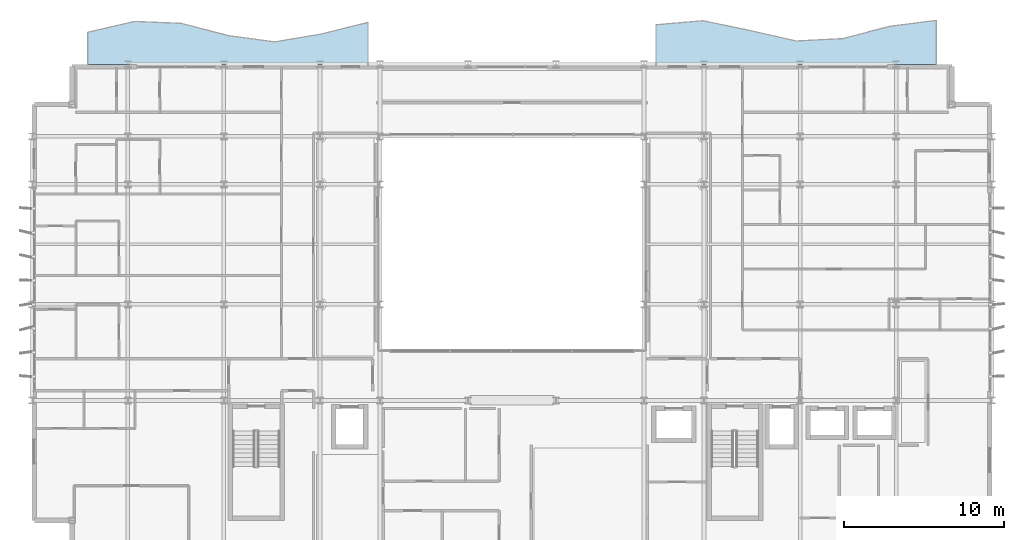
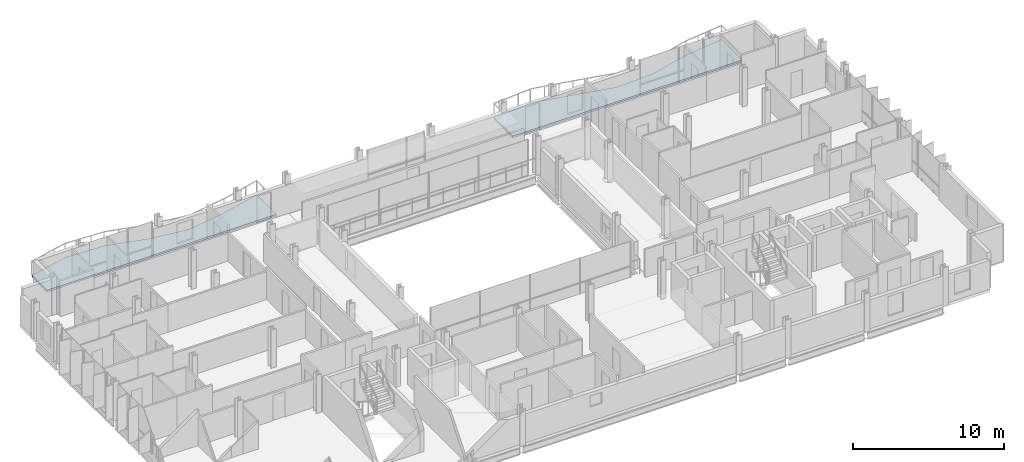
# One storey, part 27 of 40: 2 slabs.
"""IFC4 building model written with IfcOpenShell, lengths in metres."""

from ifc_helpers import new_model, si_unit, direction, frame, origin, place, context, subcontext, project, spatial, polyline, outline, extrude, material, layer, layer_set, type_object, element, save


model = new_model("IFC4")

# Units and contexts
model_context = context("Model", 3, precision=1e-05, world=origin(), true_north=direction((0.0, 1.0)))
body_context = subcontext(model_context, "Body", "Model", "MODEL_VIEW")
ifc_project = project(units=[si_unit("LENGTHUNIT", "METRE"), si_unit("AREAUNIT", "SQUARE_METRE"), si_unit("VOLUMEUNIT", "CUBIC_METRE"), si_unit("PLANEANGLEUNIT", "RADIAN"), si_unit("MASSUNIT", "GRAM", prefix="KILO")], contexts=[model_context])

# Site, building, storey
site_placement = place(None, origin())
site = spatial("IfcSite", under=ifc_project, at=site_placement, CompositionType="ELEMENT")
building_placement = place(site_placement, origin())
building = spatial("IfcBuilding", under=site, at=building_placement, Name="Brevholm Reach", CompositionType="ELEMENT")
storey_placement = place(building_placement, frame((0.0, 0.0, 148.0)))
storey = spatial("IfcBuildingStorey", under=building, at=storey_placement, Name="L44", CompositionType="ELEMENT", Elevation=148.0)

# Slabs
ifc_material = material(Name="Precast Concrete C45/55", Category="concrete")
ifc_layer = layer(ifc_material, 0.14990234375)
ifc_layer_set = layer_set([ifc_layer], Name="Precast Concrete C45/55")
slab_type = type_object("IfcSlabType", Name="SLB-BAL-150", PredefinedType="FLOOR", material=ifc_layer_set)
slab_1_placement = place(storey_placement, frame((0.0, 0.0, -0.14990234375)))
element("IfcSlab", 1, at=slab_1_placement, inside=storey, type_object=slab_type, Name="L44 Rippling External Balcony NE", PredefinedType="FLOOR", context=body_context, shape_type="SweptSolid", body=[
    extrude(outline(polyline([(39.0, 31.0), (56.5, 31.0), (56.5, 33.746337890625), (53.583251953125, 33.370849609375), (50.666748046875, 32.606201171875), (47.75, 32.45849609375), (44.833251953125, 33.1220703125), (41.916748046875, 33.723876953125), (39.0, 33.4716796875), (39.0, 31.0)])), origin(), (0.0, 0.0, 1.0), 0.14990234375),
])
slab_2_placement = place(storey_placement, frame((0.0, 0.0, -0.14990234375)))
element("IfcSlab", 2, at=slab_2_placement, inside=storey, type_object=slab_type, Name="L44 Rippling External Balcony NW", PredefinedType="FLOOR", context=body_context, shape_type="SweptSolid", body=[
    extrude(outline(polyline([(3.5, 31.0), (21.0, 31.0), (21.0, 33.62109375), (18.083251953125, 32.888916015625), (15.166748046875, 32.401611328125), (12.25, 32.800537109375), (9.333251953125, 33.560546875), (6.416748046875, 33.681640625), (3.5, 33.00439453125), (3.5, 31.0)])), origin(), (0.0, 0.0, 1.0), 0.14990234375),
])

save(model, "model.ifc")
